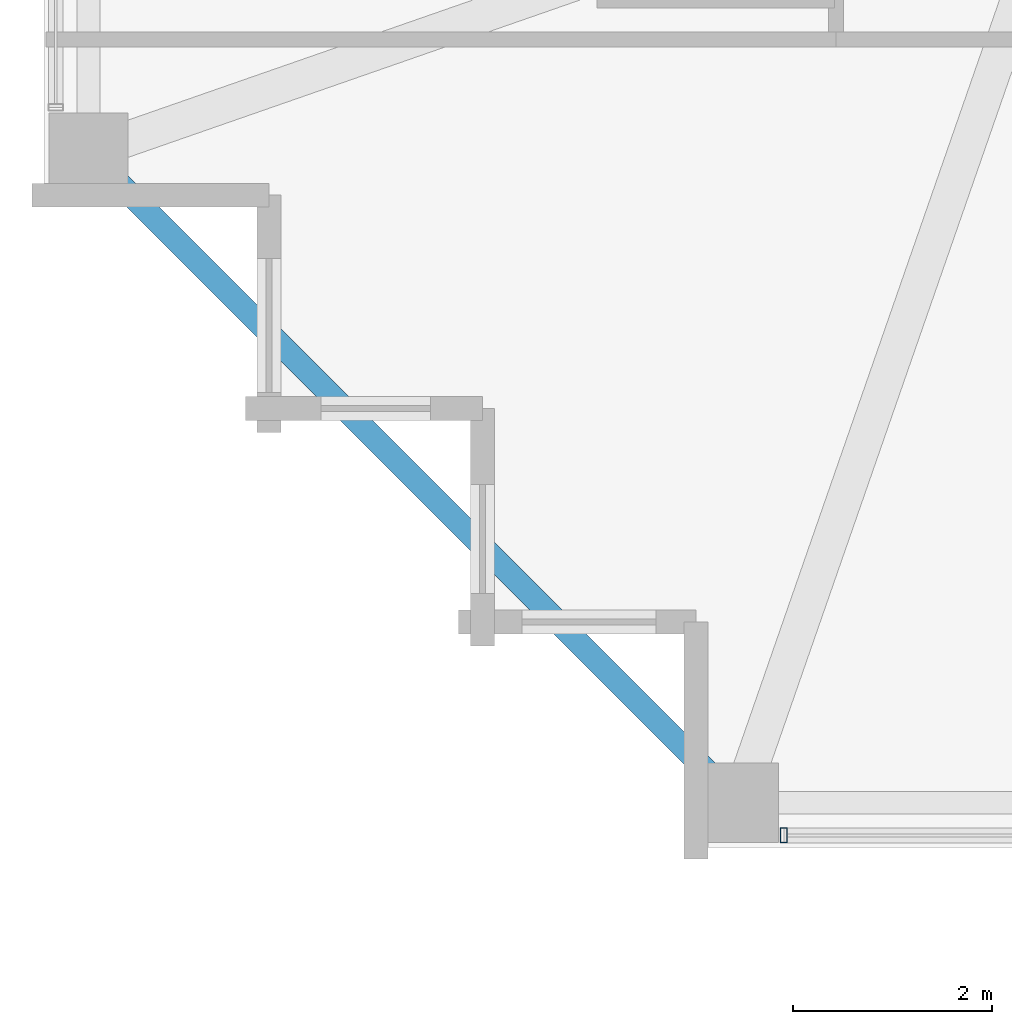
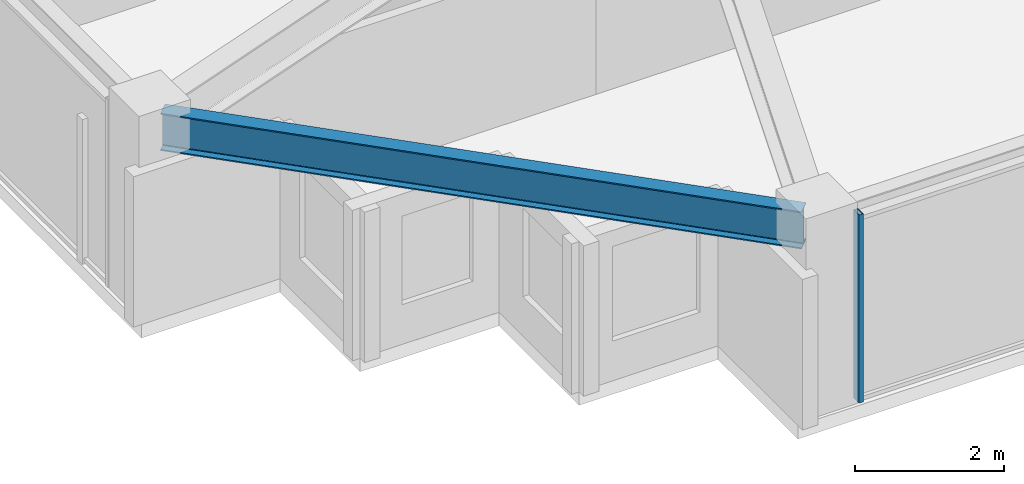
# One storey, part 2 of 36: 1 beam, 1 member, 1 element without a shape of its own.
"""IFC4 building model written with IfcOpenShell, lengths in metres."""

import ifcopenshell
import ifcopenshell.guid

model = None  # the IFC model being written
_history = None  # IfcOwnerHistory: only IFC2X3 demands one
_inside = {}  # id of a spatial element -> (the spatial element, [elements in it])
_under = {}  # id of a project, library or spatial element -> (it, [spatial elements below it])
_declared = {}  # id of a project -> (the project, [libraries it declares])
_typed = {}  # id of a type object -> (the type object, [elements of that type])
_made_of = {}  # id of a material, layer set ... -> (it, [elements and type objects made of it])


def new_model(schema):
    """Start an empty IFC model of exactly this schema.

    Asked for "IFC4X3", IfcOpenShell would pick the latest addendum, in which some entities
    have other attributes; the version numbers below select the first issue.
    IFC2X3 requires an IfcOwnerHistory on every rooted entity: one is made here for all.
    """
    global model, _history
    if schema == "IFC4X3":
        model = ifcopenshell.file(schema_version=(4, 3, 0, 0))
    else:
        model = ifcopenshell.file(schema=schema)
    _inside.clear()
    _under.clear()
    _declared.clear()
    _typed.clear()
    _made_of.clear()
    _history = None
    if model.schema == "IFC2X3":
        org = make("IfcOrganization", Name="unknown")
        user = make(
            "IfcPersonAndOrganization",
            ThePerson=make("IfcPerson", FamilyName="unknown"),
            TheOrganization=org,
        )
        app = make(
            "IfcApplication",
            ApplicationDeveloper=org,
            Version="unknown",
            ApplicationFullName="unknown",
            ApplicationIdentifier="unknown",
        )
        _history = make(
            "IfcOwnerHistory",
            OwningUser=user,
            OwningApplication=app,
            ChangeAction="ADDED",
            CreationDate=0,
        )
    return model


def make(cls, **values):
    """One entity of the class cls with the attributes given. An attribute that is None is left unset."""
    return model.create_entity(
        cls, **{name: value for name, value in values.items() if value is not None}
    )


def rooted(cls, **values):
    """An entity with a GlobalId (a new one), such as an element, a storey or a relation."""
    return make(cls, GlobalId=ifcopenshell.guid.new(), OwnerHistory=_history, **values)


def si_unit(unit_type, name, prefix=None):
    """IfcSIUnit, for example si_unit("LENGTHUNIT", "METRE", prefix="MILLI")."""
    return make("IfcSIUnit", UnitType=unit_type, Prefix=prefix, Name=name)


def assignment(units):
    """IfcUnitAssignment: the units of a project."""
    return None if units is None else make("IfcUnitAssignment", Units=units)


def point(xyz):
    """IfcCartesianPoint."""
    return None if xyz is None else make("IfcCartesianPoint", Coordinates=xyz)


def direction(xyz):
    """IfcDirection."""
    return None if xyz is None else make("IfcDirection", DirectionRatios=xyz)


def frame(location, z_axis=None, x_axis=None):
    """IfcAxis2Placement3D, a coordinate frame: its origin and axes. An axis left out is left unset."""
    return make(
        "IfcAxis2Placement3D",
        Location=point(location),
        Axis=direction(z_axis),
        RefDirection=direction(x_axis),
    )


def frame_2d(location, x_axis=None):
    """IfcAxis2Placement2D, a coordinate frame in the plane: its origin and x axis."""
    return make(
        "IfcAxis2Placement2D", Location=point(location), RefDirection=direction(x_axis)
    )


def origin():
    """The frame at (0, 0, 0) with its axes left unset."""
    return frame((0.0, 0.0, 0.0))


def origin_2d():
    """The frame at (0, 0) in the plane with its x axis left unset."""
    return frame_2d((0.0, 0.0))


def place(relative_to, where):
    """IfcLocalPlacement: puts the frame where relative to a parent placement (None: the world)."""
    return make(
        "IfcLocalPlacement", PlacementRelTo=relative_to, RelativePlacement=where
    )


def context(
    kind, dimensions, precision=None, world=None, true_north=None, identifier=None
):
    """IfcGeometricRepresentationContext, for example the 3D "Model" context."""
    return make(
        "IfcGeometricRepresentationContext",
        ContextIdentifier=identifier,
        ContextType=kind,
        CoordinateSpaceDimension=dimensions,
        Precision=precision,
        WorldCoordinateSystem=world,
        TrueNorth=true_north,
    )


def subcontext(parent, identifier, kind, view, scale=None):
    """IfcGeometricRepresentationSubContext, for example "Body" below "Model"."""
    return make(
        "IfcGeometricRepresentationSubContext",
        ContextIdentifier=identifier,
        ContextType=kind,
        ParentContext=parent,
        TargetScale=scale,
        TargetView=view,
    )


def project(units=None, contexts=None):
    """IfcProject with its units and contexts."""
    return rooted(
        "IfcProject",
        Name="project",
        RepresentationContexts=contexts,
        UnitsInContext=assignment(units),
    )


def spatial(cls, under=None, at=None, **own):
    """A site, building, storey or space (cls), placed at a placement, below another one or the project."""
    s = rooted(cls, ObjectPlacement=at, **own)
    if under is not None:
        _under.setdefault(under.id(), (under, []))[1].append(s)
    return s


def profile(cls, at=None, kind="AREA", **sizes):
    """A parametric profile (cls). Its sizes go by their IFC names, for example OverallWidth=200.0."""
    return make(cls, ProfileType=kind, Position=at, **sizes)


def hollow_rectangle(**sizes):
    """IfcRectangleHollowProfileDef."""
    return profile("IfcRectangleHollowProfileDef", **sizes)


def i_section(**sizes):
    """IfcIShapeProfileDef."""
    return profile("IfcIShapeProfileDef", **sizes)


def extrude(swept, where, along, depth):
    """IfcExtrudedAreaSolid: the profile swept, set in the frame where, extruded along a direction by depth."""
    return make(
        "IfcExtrudedAreaSolid",
        SweptArea=swept,
        Position=where,
        ExtrudedDirection=direction(along),
        Depth=depth,
    )


def shape(context_of_items, identifier, shape_type, items):
    """IfcShapeRepresentation: the items that make up one representation, for example the "Body"."""
    return make(
        "IfcShapeRepresentation",
        ContextOfItems=context_of_items,
        RepresentationIdentifier=identifier,
        RepresentationType=shape_type,
        Items=items,
    )


def material(Name=None, Category=None):
    """IfcMaterial."""
    return make("IfcMaterial", Name=Name, Category=Category)


def material_profile(
    of_material, cross_section, Name=None, Category=None, Priority=None
):
    """IfcMaterialProfile: a cross section and its material."""
    return make(
        "IfcMaterialProfile",
        Name=Name,
        Material=of_material,
        Profile=cross_section,
        Priority=Priority,
        Category=Category,
    )


def profile_set(profiles, Name=None, composite=None):
    """IfcMaterialProfileSet."""
    return make(
        "IfcMaterialProfileSet",
        Name=Name,
        MaterialProfiles=profiles,
        CompositeProfile=composite,
    )


def made_of(thing, what):
    """Note that an element or type object is made of a material, layer set ...; save() writes the relation."""
    if what is not None:
        _made_of.setdefault(what.id(), (what, []))[1].append(thing)
    return thing


def type_object(cls, material=None, **own):
    """A type object (cls), such as IfcWallType, which elements share."""
    return made_of(rooted(cls, **own), material)


def element(
    cls,
    number,
    at=None,
    inside=None,
    cuts=None,
    type_object=None,
    material=None,
    context=None,
    identifier="Body",
    shape_type=None,
    held_by="IfcProductDefinitionShape",
    body=None,
    shapes=None,
    **own,
):
    """One element of the class cls, such as IfcWall. Its Tag is "e" and its number.

    at: its placement. inside: the storey or other place that contains it. cuts: it is an
    opening in that element (IfcRelVoidsElement). A single representation is given by context,
    identifier, shape_type and body (its items); several are given by shapes. held_by: the class
    of the entity that holds the representations. save() writes the other relations.
    """
    e = rooted(cls, Tag="e%d" % number, ObjectPlacement=at, **own)
    if body is not None:
        shapes = [shape(context, identifier, shape_type, body)]
    if shapes is not None:
        e.Representation = make(held_by, Representations=shapes)
    if inside is not None:
        _inside.setdefault(inside.id(), (inside, []))[1].append(e)
    if cuts is not None:
        rooted(
            "IfcRelVoidsElement", RelatingBuildingElement=cuts, RelatedOpeningElement=e
        )
    if type_object is not None:
        _typed.setdefault(type_object.id(), (type_object, []))[1].append(e)
    return made_of(e, material)


def aggregate(whole, parts):
    """IfcRelAggregates: a whole, such as a stair, and the parts it consists of."""
    return rooted("IfcRelAggregates", RelatingObject=whole, RelatedObjects=parts)


def save(model, path):
    """Write the relations noted so far, then the file.

    IfcRelAggregates (storeys below a building ...), IfcRelContainedInSpatialStructure (elements
    in a storey), IfcRelDefinesByType, IfcRelAssociatesMaterial and IfcRelDeclares: one each for
    every whole, place, type object, material and project.
    """
    for whole, parts in _under.values():
        aggregate(whole, parts)
    for where, things in _inside.values():
        rooted(
            "IfcRelContainedInSpatialStructure",
            RelatedElements=things,
            RelatingStructure=where,
        )
    for kind, things in _typed.values():
        rooted("IfcRelDefinesByType", RelatedObjects=things, RelatingType=kind)
    for what, things in _made_of.values():
        rooted("IfcRelAssociatesMaterial", RelatedObjects=things, RelatingMaterial=what)
    for by, libraries in _declared.values():
        rooted("IfcRelDeclares", RelatingContext=by, RelatedDefinitions=libraries)
    model.write(path)


model = new_model("IFC4")

# Units and contexts
model_context = context("Model", 3, precision=1e-05, world=origin(), true_north=direction((0.0, 1.0)))
body_context = subcontext(model_context, "Body", "Model", "MODEL_VIEW")
ifc_project = project(units=[si_unit("LENGTHUNIT", "METRE"), si_unit("AREAUNIT", "SQUARE_METRE"), si_unit("VOLUMEUNIT", "CUBIC_METRE"), si_unit("PLANEANGLEUNIT", "RADIAN"), si_unit("MASSUNIT", "GRAM", prefix="KILO")], contexts=[model_context])

# Site, building, storey
site_placement = place(None, origin())
site = spatial("IfcSite", under=ifc_project, at=site_placement, CompositionType="ELEMENT")
building_placement = place(site_placement, origin())
building = spatial("IfcBuilding", under=site, at=building_placement, Name="Kolvaren Belvedere", CompositionType="ELEMENT")
storey_placement = place(building_placement, frame((0.0, 0.0, 193.199951171875)))
storey = spatial("IfcBuildingStorey", under=building, at=storey_placement, Name="L56", CompositionType="ELEMENT", Elevation=193.199951171875)

# Beam
ifc_material_1 = material(Name="Structural steel ASTM A992 Grade 50", Category="steel")
ifc_material_profile_1 = material_profile(ifc_material_1, i_section(OverallWidth=0.22900390625, OverallDepth=0.612060546875, WebThickness=0.011962890625, FlangeThickness=0.01953125, FilletRadius=0.01806640625, at=origin_2d()), Name="W24X84")
ifc_profile_set_1 = profile_set([ifc_material_profile_1], Name="Structural steel ASTM A992 Grade 50")
beam_type = type_object("IfcBeamType", Name="BM-SPAN-W24X84", PredefinedType="SPANDREL", material=ifc_profile_set_1)
beam_placement = place(storey_placement, frame((-19.82275390625, -13.52734375, 2.774169921875), z_axis=(0.707106781187, -0.707106781187, 0.0), x_axis=(0.707106781187, 0.707106781187, 0.0)))
element("IfcBeam", 1, at=beam_placement, inside=storey, type_object=beam_type, Name="L56 Perimeter Spandrel W1-S1", PredefinedType="SPANDREL", context=body_context, shape_type="SweptSolid", body=[
    extrude(i_section(OverallWidth=0.22900390625, OverallDepth=0.612060546875, WebThickness=0.011962890625, FlangeThickness=0.01953125, FilletRadius=0.01806640625, at=origin_2d()), origin(), (0.0, 0.0, 1.0), 8.903076171875),
])

# Curtain wall, member
ifc_material_2 = material(Name="Anodised pale-metal aluminium AA 6063-T6", Category="aluminium")
curtain_wall_type = type_object("IfcCurtainWallType", Name="CW-Z5-HIGH", PredefinedType="NOTDEFINED", material=ifc_material_2)
curtain_wall_placement = place(storey_placement, origin())
curtain_wall = element("IfcCurtainWall", 2, at=curtain_wall_placement, inside=storey, type_object=curtain_wall_type, Name="L56 Unitised Curtain Wall FCW-L56-S2-B2", PredefinedType="NOTDEFINED")
ifc_material_3 = material(Name="Anodised pale-metal aluminium AA 6063-T6", Category="aluminium")
ifc_material_profile_2 = material_profile(ifc_material_3, hollow_rectangle(XDim=0.070068359375, YDim=0.14990234375, WallThickness=0.004150390625, at=origin_2d()), Name="ALU-MUL-150X70")
ifc_profile_set_2 = profile_set([ifc_material_profile_2], Name="Anodised pale-metal aluminium AA 6063-T6")
member_type = type_object("IfcMemberType", Name="CW-MUL-150", PredefinedType="MULLION", material=ifc_profile_set_2)
member_placement = place(storey_placement, frame((-12.945068359375, -20.280029296875, 0.0), z_axis=(0.0, 0.0, 1.0), x_axis=(1.0, 0.0, 0.0)))
member = element("IfcMember", 3, at=member_placement, type_object=member_type, Name="FCW-L56-S2-B2 Unitised Mullion 3", PredefinedType="MULLION", context=body_context, shape_type="SweptSolid", body=[
    extrude(hollow_rectangle(XDim=0.070068359375, YDim=0.14990234375, WallThickness=0.004150390625, at=origin_2d()), origin(), (0.0, 0.0, 1.0), 3.080078125),
])
aggregate(curtain_wall, [member])

save(model, "model.ifc")
